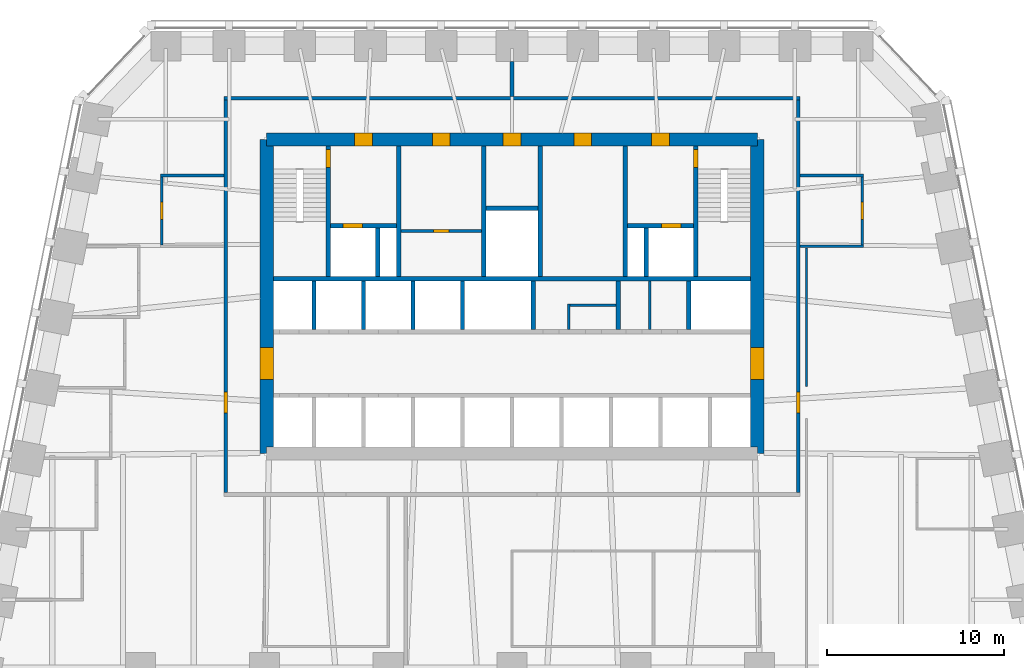
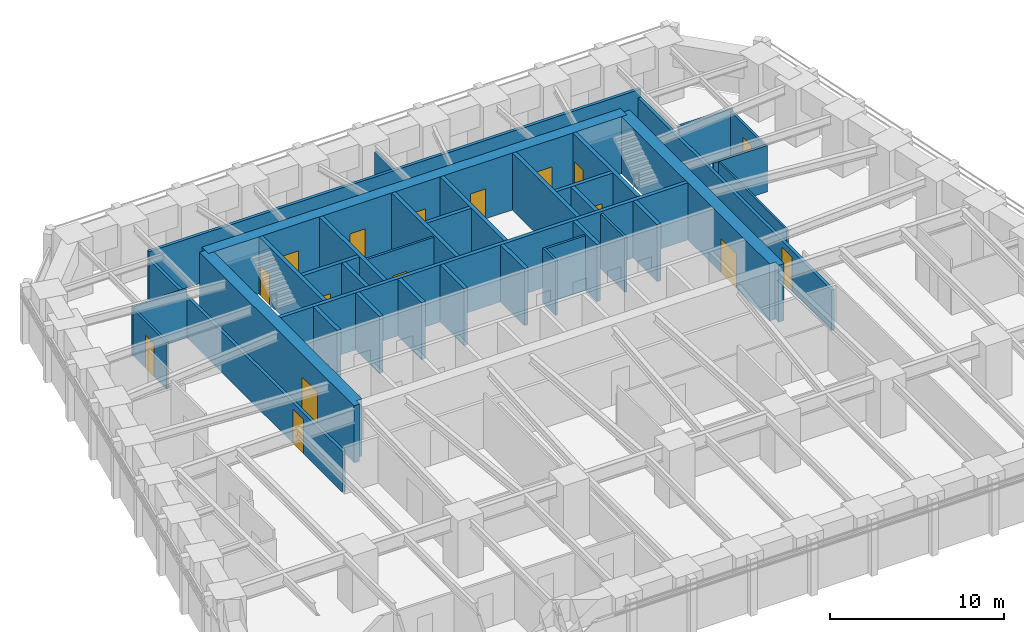
# One storey, part 7 of 10: 36 walls, 16 doors, 16 openings.
"""IFC4 building model written with IfcOpenShell, lengths in metres."""

from ifc_helpers import new_model, si_unit, direction, frame, frame_2d, origin, place, context, subcontext, project, spatial, polyline, rectangle, outline, extrude, material, layer, layer_set, type_object, element, fill, save


model = new_model("IFC4")

# Units and contexts
model_context = context("Model", 3, precision=1e-05, world=origin(), true_north=direction((0.0, 1.0)))
body_context = subcontext(model_context, "Body", "Model", "MODEL_VIEW")
ifc_project = project(units=[si_unit("LENGTHUNIT", "METRE"), si_unit("AREAUNIT", "SQUARE_METRE"), si_unit("VOLUMEUNIT", "CUBIC_METRE"), si_unit("PLANEANGLEUNIT", "RADIAN"), si_unit("MASSUNIT", "GRAM", prefix="KILO")], contexts=[model_context])

# Site, building, storey
site_placement = place(None, origin())
site = spatial("IfcSite", under=ifc_project, at=site_placement, CompositionType="ELEMENT")
building_placement = place(site_placement, origin())
building = spatial("IfcBuilding", under=site, at=building_placement, Name="Isbrekke Arena Tower", CompositionType="ELEMENT")
storey_placement = place(building_placement, frame((0.0, 0.0, 111.0)))
storey = spatial("IfcBuildingStorey", under=building, at=storey_placement, Name="L24", CompositionType="ELEMENT", Elevation=111.0)

# Wall, opening, door
ifc_material_1 = material(Name="Concrete B55 (C55/67)", Category="concrete")
ifc_layer_1 = layer(ifc_material_1, 0.75)
ifc_layer_set_1 = layer_set([ifc_layer_1], Name="CW3 CORE WALL 750")
wall_type_1 = type_object("IfcWallType", Name="CW3 CORE WALL 750", PredefinedType="SHEAR", material=ifc_layer_set_1)
wall_1_placement = place(storey_placement, frame((13.875, 6.125, 0.0), z_axis=(0.0, 0.0, 1.0), x_axis=(0.0, 1.0, 0.0)))
wall_1 = element("IfcWall", 1, at=wall_1_placement, inside=storey, type_object=wall_type_1, Name="Core wall E L24", PredefinedType="SHEAR", context=body_context, shape_type="SweptSolid", body=[
    extrude(outline(polyline([(0.0, -0.375), (17.75, -0.375), (17.75, 0.0), (17.375, 0.0), (17.375, 0.375), (0.375, 0.375), (0.375, 0.0), (0.0, 0.0), (0.0, -0.375)])), origin(), (0.0, 0.0, 1.0), 4.0),
])
opening_1_placement = place(wall_1_placement, frame((4.175048828125, 0.0, 0.0)))
opening_1 = element("IfcOpeningElement", 2, at=opening_1_placement, cuts=wall_1, Name="Opening D1", PredefinedType="OPENING", context=body_context, shape_type="SweptSolid", body=[
    extrude(rectangle(XDim=1.800048828125, YDim=2.39990234375, at=frame_2d((0.89990234375, 1.199951171875))), frame((0.0, 0.389892578125, 0.0), z_axis=(0.0, -1.0, 0.0), x_axis=(1.0, 0.0, 0.0)), (0.0, 0.0, 1.0), 0.77978515625),
])
ifc_material_2 = material(Name="Steel-framed glazed fire door", Category="steel")
door_type_1 = type_object("IfcDoorType", Name="D1 CORE LOBBY DOOR 1800 x 2400", OperationType="DOUBLE_DOOR_SINGLE_SWING", PredefinedType="DOOR", material=ifc_material_2)
door_1_placement = place(opening_1_placement, origin())
door_1 = element("IfcDoor", 3, at=door_1_placement, inside=storey, type_object=door_type_1, Name="D1 lift lobby door east L24", OperationType="DOUBLE_DOOR_SINGLE_SWING", OverallHeight=2.39990234375, OverallWidth=1.800048828125, PredefinedType="DOOR", context=body_context, shape_type="SweptSolid", body=[
    extrude(rectangle(XDim=1.800048828125, YDim=2.39990234375, at=frame_2d((0.89990234375, 1.199951171875))), frame((0.0, 0.374755859375, 0.0), z_axis=(0.0, -1.0, 0.0), x_axis=(1.0, 0.0, 0.0)), (0.0, 0.0, 1.0), 0.74951171875),
])
fill(opening_1, door_1)

# Wall, openings, doors
wall_2_placement = place(storey_placement, frame((13.875, 23.875, 0.0), z_axis=(0.0, 0.0, 1.0), x_axis=(-1.0, 0.0, 0.0)))
wall_2 = element("IfcWall", 4, at=wall_2_placement, inside=storey, type_object=wall_type_1, Name="Core wall N L24", PredefinedType="SHEAR", context=body_context, shape_type="SweptSolid", body=[
    extrude(rectangle(XDim=27.75, YDim=0.75, at=frame_2d((13.875, 0.0))), origin(), (0.0, 0.0, 1.0), 4.0),
])
opening_2_placement = place(wall_2_placement, frame((21.77490234375, 0.0, 0.0)))
opening_2 = element("IfcOpeningElement", 5, at=opening_2_placement, cuts=wall_2, Name="Opening D3", PredefinedType="OPENING", context=body_context, shape_type="SweptSolid", body=[
    extrude(rectangle(XDim=1.0, YDim=2.10009765625, at=frame_2d((0.5, 1.050048828125))), frame((0.0, 0.389892578125, 0.0), z_axis=(0.0, -1.0, 0.0), x_axis=(1.0, 0.0, 0.0)), (0.0, 0.0, 1.0), 0.77978515625),
])
opening_3_placement = place(wall_2_placement, frame((4.97509765625, 0.0, 0.0)))
opening_3 = element("IfcOpeningElement", 6, at=opening_3_placement, cuts=wall_2, Name="Opening D3", PredefinedType="OPENING", context=body_context, shape_type="SweptSolid", body=[
    extrude(rectangle(XDim=1.0, YDim=2.10009765625, at=frame_2d((0.5, 1.050048828125))), frame((0.0, 0.389892578125, 0.0), z_axis=(0.0, -1.0, 0.0), x_axis=(1.0, 0.0, 0.0)), (0.0, 0.0, 1.0), 0.77978515625),
])
opening_4_placement = place(wall_2_placement, frame((17.375, 0.0, 0.0)))
opening_4 = element("IfcOpeningElement", 7, at=opening_4_placement, cuts=wall_2, Name="Opening D4", PredefinedType="OPENING", context=body_context, shape_type="SweptSolid", body=[
    extrude(rectangle(XDim=1.0, YDim=2.10009765625, at=frame_2d((0.5, 1.050048828125))), frame((0.0, 0.389892578125, 0.0), z_axis=(0.0, -1.0, 0.0), x_axis=(1.0, 0.0, 0.0)), (0.0, 0.0, 1.0), 0.77978515625),
])
opening_5_placement = place(wall_2_placement, frame((13.375, 0.0, 0.0)))
opening_5 = element("IfcOpeningElement", 8, at=opening_5_placement, cuts=wall_2, Name="Opening D4", PredefinedType="OPENING", context=body_context, shape_type="SweptSolid", body=[
    extrude(rectangle(XDim=1.0, YDim=2.10009765625, at=frame_2d((0.5, 1.050048828125))), frame((0.0, 0.389892578125, 0.0), z_axis=(0.0, -1.0, 0.0), x_axis=(1.0, 0.0, 0.0)), (0.0, 0.0, 1.0), 0.77978515625),
])
opening_6_placement = place(wall_2_placement, frame((9.375, 0.0, 0.0)))
opening_6 = element("IfcOpeningElement", 9, at=opening_6_placement, cuts=wall_2, Name="Opening D4", PredefinedType="OPENING", context=body_context, shape_type="SweptSolid", body=[
    extrude(rectangle(XDim=1.0, YDim=2.10009765625, at=frame_2d((0.5, 1.050048828125))), frame((0.0, 0.389892578125, 0.0), z_axis=(0.0, -1.0, 0.0), x_axis=(1.0, 0.0, 0.0)), (0.0, 0.0, 1.0), 0.77978515625),
])
ifc_material_3 = material(Name="Steel fire door", Category="steel")
door_type_2 = type_object("IfcDoorType", Name="D3 FIRE LOBBY DOOR 1000 x 2100", OperationType="SINGLE_SWING_RIGHT", PredefinedType="DOOR", material=ifc_material_3)
door_2_placement = place(opening_2_placement, origin())
door_2 = element("IfcDoor", 10, at=door_2_placement, inside=storey, type_object=door_type_2, Name="D3 fire-fighting lobby door L24", OperationType="SINGLE_SWING_RIGHT", OverallHeight=2.10009765625, OverallWidth=1.0, PredefinedType="DOOR", context=body_context, shape_type="SweptSolid", body=[
    extrude(rectangle(XDim=1.0, YDim=2.10009765625, at=frame_2d((0.5, 1.050048828125))), frame((0.0, 0.374755859375, 0.0), z_axis=(0.0, -1.0, 0.0), x_axis=(1.0, 0.0, 0.0)), (0.0, 0.0, 1.0), 0.74951171875),
])
fill(opening_2, door_2)
door_3_placement = place(opening_3_placement, origin())
door_3 = element("IfcDoor", 11, at=door_3_placement, inside=storey, type_object=door_type_2, Name="D3 fire-fighting lobby door L24", OperationType="SINGLE_SWING_RIGHT", OverallHeight=2.10009765625, OverallWidth=1.0, PredefinedType="DOOR", context=body_context, shape_type="SweptSolid", body=[
    extrude(rectangle(XDim=1.0, YDim=2.10009765625, at=frame_2d((0.5, 1.050048828125))), frame((0.0, 0.374755859375, 0.0), z_axis=(0.0, -1.0, 0.0), x_axis=(1.0, 0.0, 0.0)), (0.0, 0.0, 1.0), 0.74951171875),
])
fill(opening_3, door_3)
ifc_material_4 = material(Name="Timber door", Category="wood")
door_type_3 = type_object("IfcDoorType", Name="D4 WC DOOR 1000 x 2100", OperationType="SINGLE_SWING_LEFT", PredefinedType="DOOR", material=ifc_material_4)
door_4_placement = place(opening_4_placement, origin())
door_4 = element("IfcDoor", 12, at=door_4_placement, inside=storey, type_object=door_type_3, Name="D4 wc female door L24", OperationType="SINGLE_SWING_LEFT", OverallHeight=2.10009765625, OverallWidth=1.0, PredefinedType="DOOR", context=body_context, shape_type="SweptSolid", body=[
    extrude(rectangle(XDim=1.0, YDim=2.10009765625, at=frame_2d((0.5, 1.050048828125))), frame((0.0, 0.374755859375, 0.0), z_axis=(0.0, -1.0, 0.0), x_axis=(1.0, 0.0, 0.0)), (0.0, 0.0, 1.0), 0.74951171875),
])
fill(opening_4, door_4)
door_5_placement = place(opening_5_placement, origin())
door_5 = element("IfcDoor", 13, at=door_5_placement, inside=storey, type_object=door_type_3, Name="D4 accessible wc door L24", OperationType="SINGLE_SWING_LEFT", OverallHeight=2.10009765625, OverallWidth=1.0, PredefinedType="DOOR", context=body_context, shape_type="SweptSolid", body=[
    extrude(rectangle(XDim=1.0, YDim=2.10009765625, at=frame_2d((0.5, 1.050048828125))), frame((0.0, 0.374755859375, 0.0), z_axis=(0.0, -1.0, 0.0), x_axis=(1.0, 0.0, 0.0)), (0.0, 0.0, 1.0), 0.74951171875),
])
fill(opening_5, door_5)
door_6_placement = place(opening_6_placement, origin())
door_6 = element("IfcDoor", 14, at=door_6_placement, inside=storey, type_object=door_type_3, Name="D4 wc male door L24", OperationType="SINGLE_SWING_LEFT", OverallHeight=2.10009765625, OverallWidth=1.0, PredefinedType="DOOR", context=body_context, shape_type="SweptSolid", body=[
    extrude(rectangle(XDim=1.0, YDim=2.10009765625, at=frame_2d((0.5, 1.050048828125))), frame((0.0, 0.374755859375, 0.0), z_axis=(0.0, -1.0, 0.0), x_axis=(1.0, 0.0, 0.0)), (0.0, 0.0, 1.0), 0.74951171875),
])
fill(opening_6, door_6)

# Wall, opening, door
wall_3_placement = place(storey_placement, frame((-13.875, 23.875, 0.0), z_axis=(0.0, 0.0, 1.0), x_axis=(0.0, -1.0, 0.0)))
wall_3 = element("IfcWall", 15, at=wall_3_placement, inside=storey, type_object=wall_type_1, Name="Core wall W L24", PredefinedType="SHEAR", context=body_context, shape_type="SweptSolid", body=[
    extrude(outline(polyline([(0.0, -0.375), (17.75, -0.375), (17.75, 0.0), (17.375, 0.0), (17.375, 0.375), (0.375, 0.375), (0.375, 0.0), (0.0, 0.0), (0.0, -0.375)])), origin(), (0.0, 0.0, 1.0), 4.0),
])
opening_7_placement = place(wall_3_placement, frame((11.77490234375, 0.0, 0.0)))
opening_7 = element("IfcOpeningElement", 16, at=opening_7_placement, cuts=wall_3, Name="Opening D1", PredefinedType="OPENING", context=body_context, shape_type="SweptSolid", body=[
    extrude(rectangle(XDim=1.800048828125, YDim=2.39990234375, at=frame_2d((0.89990234375, 1.199951171875))), frame((0.0, 0.389892578125, 0.0), z_axis=(0.0, -1.0, 0.0), x_axis=(1.0, 0.0, 0.0)), (0.0, 0.0, 1.0), 0.77978515625),
])
door_7_placement = place(opening_7_placement, origin())
door_7 = element("IfcDoor", 17, at=door_7_placement, inside=storey, type_object=door_type_1, Name="D1 lift lobby door west L24", OperationType="DOUBLE_DOOR_SINGLE_SWING", OverallHeight=2.39990234375, OverallWidth=1.800048828125, PredefinedType="DOOR", context=body_context, shape_type="SweptSolid", body=[
    extrude(rectangle(XDim=1.800048828125, YDim=2.39990234375, at=frame_2d((0.89990234375, 1.199951171875))), frame((0.0, 0.374755859375, 0.0), z_axis=(0.0, -1.0, 0.0), x_axis=(1.0, 0.0, 0.0)), (0.0, 0.0, 1.0), 0.74951171875),
])
fill(opening_7, door_7)

# Walls
ifc_material_5 = material(Name="Concrete B45 (C45/55)", Category="concrete")
ifc_layer_2 = layer(ifc_material_5, 0.25)
ifc_layer_set_2 = layer_set([ifc_layer_2], Name="CW6 SHAFT WALL 250")
wall_type_2 = type_object("IfcWallType", Name="CW6 SHAFT WALL 250", PredefinedType="SHEAR", material=ifc_layer_set_2)
wall_4_placement = place(storey_placement, frame((-13.5, 16.0, 0.0), z_axis=(0.0, 0.0, 1.0), x_axis=(1.0, 0.0, 0.0)))
element("IfcWall", 18, at=wall_4_placement, inside=storey, type_object=wall_type_2, Name="Core wall NB L24", PredefinedType="SHEAR", context=body_context, shape_type="SweptSolid", body=[
    extrude(rectangle(XDim=27.0, YDim=0.25, at=frame_2d((13.5, 0.0))), origin(), (0.0, 0.0, 1.0), 4.0),
])
for number, where, z_axis, x_axis, name in (
    (19, (-11.199951171875, 13.125, 0.0), (0.0, 0.0, 1.0), (0.0, 1.0, 0.0), "Core wall SN01 L24"),
    (20, (-8.39990234375, 13.125, 0.0), (0.0, 0.0, 1.0), (0.0, 1.0, 0.0), "Core wall SN02 L24"),
    (21, (-5.60009765625, 13.125, 0.0), (0.0, 0.0, 1.0), (0.0, 1.0, 0.0), "Core wall SN03 L24"),
    (22, (-2.800048828125, 13.125, 0.0), (0.0, 0.0, 1.0), (0.0, 1.0, 0.0), "Core wall SN04 L24"),
    (23, (1.199951171875, 13.125, 0.0), (0.0, 0.0, 1.0), (0.0, 1.0, 0.0), "Core wall SN05 L24"),
    (24, (6.0, 13.125, 0.0), (0.0, 0.0, 1.0), (0.0, 1.0, 0.0), "Core wall SN06 L24"),
    (25, (10.0, 13.125, 0.0), (0.0, 0.0, 1.0), (0.0, 1.0, 0.0), "Core wall SN07 L24"),
):
    element("IfcWall", number, at=place(storey_placement, frame(where, z_axis=z_axis, x_axis=x_axis)), inside=storey, type_object=wall_type_2, Name=name, PredefinedType="SHEAR", context=body_context, shape_type="SweptSolid", body=[
        extrude(rectangle(XDim=2.75, YDim=0.25, at=frame_2d((1.375, 0.0))), origin(), (0.0, 0.0, 1.0), 4.0),
    ])

# Wall, opening, door
wall_5_placement = place(storey_placement, frame((-10.39990234375, 16.125, 0.0), z_axis=(0.0, 0.0, 1.0), x_axis=(0.0, 1.0, 0.0)))
wall_5 = element("IfcWall", 26, at=wall_5_placement, inside=storey, type_object=wall_type_2, Name="Core wall NV01 L24", PredefinedType="SHEAR", context=body_context, shape_type="SweptSolid", body=[
    extrude(rectangle(XDim=7.375, YDim=0.25, at=frame_2d((3.6875, 0.0))), origin(), (0.0, 0.0, 1.0), 4.0),
])
opening_8_placement = place(wall_5_placement, frame((6.175048828125, 0.0, 0.0)))
opening_8 = element("IfcOpeningElement", 27, at=opening_8_placement, cuts=wall_5, Name="Opening D2", PredefinedType="OPENING", context=body_context, shape_type="SweptSolid", body=[
    extrude(rectangle(XDim=1.0, YDim=2.10009765625, at=frame_2d((0.5, 1.050048828125))), frame((0.0, 0.139892578125, 0.0), z_axis=(0.0, -1.0, 0.0), x_axis=(1.0, 0.0, 0.0)), (0.0, 0.0, 1.0), 0.27978515625),
])
ifc_material_6 = material(Name="Steel fire door", Category="steel")
door_type_4 = type_object("IfcDoorType", Name="D2 STAIR DOOR 1000 x 2100", OperationType="SINGLE_SWING_LEFT", PredefinedType="DOOR", material=ifc_material_6)
door_8_placement = place(opening_8_placement, origin())
door_8 = element("IfcDoor", 28, at=door_8_placement, inside=storey, type_object=door_type_4, Name="D2 stair door ST1 L24", OperationType="SINGLE_SWING_LEFT", OverallHeight=2.10009765625, OverallWidth=1.0, PredefinedType="DOOR", context=body_context, shape_type="SweptSolid", body=[
    extrude(rectangle(XDim=1.0, YDim=2.10009765625, at=frame_2d((0.5, 1.050048828125))), frame((0.0, 0.124755859375, 0.0), z_axis=(0.0, -1.0, 0.0), x_axis=(1.0, 0.0, 0.0)), (0.0, 0.0, 1.0), 0.24951171875),
])
fill(opening_8, door_8)

# Walls
for number, where, z_axis, x_axis, name in (
    (29, (-6.39990234375, 16.125, 0.0), (0.0, 0.0, 1.0), (0.0, 1.0, 0.0), "Core wall NV02 L24"),
    (30, (-1.60009765625, 16.125, 0.0), (0.0, 0.0, 1.0), (0.0, 1.0, 0.0), "Core wall NV03 L24"),
    (31, (1.60009765625, 16.125, 0.0), (0.0, 0.0, 1.0), (0.0, 1.0, 0.0), "Core wall NV04 L24"),
    (32, (6.39990234375, 16.125, 0.0), (0.0, 0.0, 1.0), (0.0, 1.0, 0.0), "Core wall NV05 L24"),
):
    element("IfcWall", number, at=place(storey_placement, frame(where, z_axis=z_axis, x_axis=x_axis)), inside=storey, type_object=wall_type_2, Name=name, PredefinedType="SHEAR", context=body_context, shape_type="SweptSolid", body=[
        extrude(rectangle(XDim=7.375, YDim=0.25, at=frame_2d((3.6875, 0.0))), origin(), (0.0, 0.0, 1.0), 4.0),
    ])

# Wall, opening, door
wall_6_placement = place(storey_placement, frame((10.39990234375, 16.125, 0.0), z_axis=(0.0, 0.0, 1.0), x_axis=(0.0, 1.0, 0.0)))
wall_6 = element("IfcWall", 33, at=wall_6_placement, inside=storey, type_object=wall_type_2, Name="Core wall NV06 L24", PredefinedType="SHEAR", context=body_context, shape_type="SweptSolid", body=[
    extrude(rectangle(XDim=7.375, YDim=0.25, at=frame_2d((3.6875, 0.0))), origin(), (0.0, 0.0, 1.0), 4.0),
])
opening_9_placement = place(wall_6_placement, frame((6.175048828125, 0.0, 0.0)))
opening_9 = element("IfcOpeningElement", 34, at=opening_9_placement, cuts=wall_6, Name="Opening D2", PredefinedType="OPENING", context=body_context, shape_type="SweptSolid", body=[
    extrude(rectangle(XDim=1.0, YDim=2.10009765625, at=frame_2d((0.5, 1.050048828125))), frame((0.0, 0.139892578125, 0.0), z_axis=(0.0, -1.0, 0.0), x_axis=(1.0, 0.0, 0.0)), (0.0, 0.0, 1.0), 0.27978515625),
])
door_9_placement = place(opening_9_placement, origin())
door_9 = element("IfcDoor", 35, at=door_9_placement, inside=storey, type_object=door_type_4, Name="D2 stair door ST2 L24", OperationType="SINGLE_SWING_LEFT", OverallHeight=2.10009765625, OverallWidth=1.0, PredefinedType="DOOR", context=body_context, shape_type="SweptSolid", body=[
    extrude(rectangle(XDim=1.0, YDim=2.10009765625, at=frame_2d((0.5, 1.050048828125))), frame((0.0, 0.124755859375, 0.0), z_axis=(0.0, -1.0, 0.0), x_axis=(1.0, 0.0, 0.0)), (0.0, 0.0, 1.0), 0.24951171875),
])
fill(opening_9, door_9)

wall_7_placement = place(storey_placement, frame((-10.27490234375, 19.0, 0.0), z_axis=(0.0, 0.0, 1.0), x_axis=(1.0, 0.0, 0.0)))
wall_7 = element("IfcWall", 36, at=wall_7_placement, inside=storey, type_object=wall_type_2, Name="Core wall NFW L24", PredefinedType="SHEAR", context=body_context, shape_type="SweptSolid", body=[
    extrude(rectangle(XDim=3.75, YDim=0.25, at=frame_2d((1.875, 0.0))), origin(), (0.0, 0.0, 1.0), 4.0),
])
opening_10_placement = place(wall_7_placement, frame((0.72509765625, 0.0, 0.0)))
opening_10 = element("IfcOpeningElement", 37, at=opening_10_placement, cuts=wall_7, Name="Opening LD2", PredefinedType="OPENING", context=body_context, shape_type="SweptSolid", body=[
    extrude(rectangle(XDim=1.10009765625, YDim=2.10009765625, at=frame_2d((0.550048828125, 1.050048828125))), frame((0.0, 0.139892578125, 0.0), z_axis=(0.0, -1.0, 0.0), x_axis=(1.0, 0.0, 0.0)), (0.0, 0.0, 1.0), 0.27978515625),
])
ifc_material_7 = material(Name="Stainless steel lift landing door", Category="steel")
door_type_5 = type_object("IfcDoorType", Name="LD2 FIRE-FIGHTING LIFT LANDING DOOR 1100 x 2100", OperationType="SLIDING_TO_RIGHT", PredefinedType="DOOR", material=ifc_material_7)
door_10_placement = place(opening_10_placement, origin())
door_10 = element("IfcDoor", 38, at=door_10_placement, inside=storey, type_object=door_type_5, Name="LD2 lift landing door LF L24", OperationType="SLIDING_TO_RIGHT", OverallHeight=2.10009765625, OverallWidth=1.10009765625, PredefinedType="DOOR", context=body_context, shape_type="SweptSolid", body=[
    extrude(rectangle(XDim=1.10009765625, YDim=2.10009765625, at=frame_2d((0.550048828125, 1.050048828125))), frame((0.0, 0.124755859375, 0.0), z_axis=(0.0, -1.0, 0.0), x_axis=(1.0, 0.0, 0.0)), (0.0, 0.0, 1.0), 0.24951171875),
])
fill(opening_10, door_10)

wall_8_placement = place(storey_placement, frame((6.52490234375, 19.0, 0.0), z_axis=(0.0, 0.0, 1.0), x_axis=(1.0, 0.0, 0.0)))
wall_8 = element("IfcWall", 39, at=wall_8_placement, inside=storey, type_object=wall_type_2, Name="Core wall NFE L24", PredefinedType="SHEAR", context=body_context, shape_type="SweptSolid", body=[
    extrude(rectangle(XDim=3.75, YDim=0.25, at=frame_2d((1.875, 0.0))), origin(), (0.0, 0.0, 1.0), 4.0),
])
opening_11_placement = place(wall_8_placement, frame((1.925048828125, 0.0, 0.0)))
opening_11 = element("IfcOpeningElement", 40, at=opening_11_placement, cuts=wall_8, Name="Opening LD2", PredefinedType="OPENING", context=body_context, shape_type="SweptSolid", body=[
    extrude(rectangle(XDim=1.10009765625, YDim=2.10009765625, at=frame_2d((0.550048828125, 1.050048828125))), frame((0.0, 0.139892578125, 0.0), z_axis=(0.0, -1.0, 0.0), x_axis=(1.0, 0.0, 0.0)), (0.0, 0.0, 1.0), 0.27978515625),
])
door_11_placement = place(opening_11_placement, origin())
door_11 = element("IfcDoor", 41, at=door_11_placement, inside=storey, type_object=door_type_5, Name="LD2 lift landing door LF L24", OperationType="SLIDING_TO_RIGHT", OverallHeight=2.10009765625, OverallWidth=1.10009765625, PredefinedType="DOOR", context=body_context, shape_type="SweptSolid", body=[
    extrude(rectangle(XDim=1.10009765625, YDim=2.10009765625, at=frame_2d((0.550048828125, 1.050048828125))), frame((0.0, 0.124755859375, 0.0), z_axis=(0.0, -1.0, 0.0), x_axis=(1.0, 0.0, 0.0)), (0.0, 0.0, 1.0), 0.24951171875),
])
fill(opening_11, door_11)

# Walls
for number, where, z_axis, x_axis, name in (
    (42, (-7.60009765625, 16.125, 0.0), (0.0, 0.0, 1.0), (0.0, 1.0, 0.0), "Core wall NFS1 L24"),
    (43, (7.60009765625, 16.125, 0.0), (0.0, 0.0, 1.0), (0.0, 1.0, 0.0), "Core wall NFS2 L24"),
):
    element("IfcWall", number, at=place(storey_placement, frame(where, z_axis=z_axis, x_axis=x_axis)), inside=storey, type_object=wall_type_2, Name=name, PredefinedType="SHEAR", context=body_context, shape_type="SweptSolid", body=[
        extrude(rectangle(XDim=2.75, YDim=0.25, at=frame_2d((1.375, 0.0))), origin(), (0.0, 0.0, 1.0), 4.0),
    ])
wall_9_placement = place(storey_placement, frame((-1.47509765625, 20.0, 0.0), z_axis=(0.0, 0.0, 1.0), x_axis=(1.0, 0.0, 0.0)))
element("IfcWall", 44, at=wall_9_placement, inside=storey, type_object=wall_type_2, Name="Core wall NWC L24", PredefinedType="SHEAR", context=body_context, shape_type="SweptSolid", body=[
    extrude(rectangle(XDim=2.9501953125, YDim=0.25, at=frame_2d((1.47509765625, 0.0))), origin(), (0.0, 0.0, 1.0), 4.0),
])
ifc_material_8 = material(Name="Gypsum board partition on steel studs", Category="steel")
ifc_layer_3 = layer(ifc_material_8, 0.14990234375)
ifc_layer_set_3 = layer_set([ifc_layer_3], Name="IW1 PARTITION 150")
wall_type_3 = type_object("IfcWallType", Name="IW1 PARTITION 150", PredefinedType="PARTITIONING", material=ifc_layer_set_3)
wall_10_placement = place(storey_placement, frame((16.300048828125, 17.840087890625, 0.0), z_axis=(0.0, 0.0, 1.0), x_axis=(1.0, 0.0, 0.0)))
element("IfcWall", 45, at=wall_10_placement, inside=storey, type_object=wall_type_3, Name="IW1 partition 150 L24", PredefinedType="PARTITIONING", context=body_context, shape_type="SweptSolid", body=[
    extrude(rectangle(XDim=3.574951171875, YDim=0.14990234375, at=frame_2d((1.78759765625, 0.0))), origin(), (0.0, 0.0, 1.0), 3.25),
])
for number, where, z_axis, x_axis, name in (
    (46, (-19.875, 21.840087890625, 0.0), (0.0, 0.0, 1.0), (1.0, 0.0, 0.0), "IW1 partition 150 L24"),
    (47, (16.300048828125, 21.840087890625, 0.0), (0.0, 0.0, 1.0), (1.0, 0.0, 0.0), "IW1 partition 150 L24"),
):
    element("IfcWall", number, at=place(storey_placement, frame(where, z_axis=z_axis, x_axis=x_axis)), inside=storey, type_object=wall_type_3, Name=name, PredefinedType="PARTITIONING", context=body_context, shape_type="SweptSolid", body=[
        extrude(rectangle(XDim=3.574951171875, YDim=0.14990234375, at=frame_2d((1.78759765625, 0.0))), origin(), (0.0, 0.0, 1.0), 3.39990234375),
    ])

# Wall, opening, door
wall_11_placement = place(storey_placement, frame((-19.800048828125, 17.9150390625, 0.0), z_axis=(0.0, 0.0, 1.0), x_axis=(0.0, 1.0, 0.0)))
wall_11 = element("IfcWall", 48, at=wall_11_placement, inside=storey, type_object=wall_type_3, Name="IW1 partition 150 L24", PredefinedType="PARTITIONING", context=body_context, shape_type="SweptSolid", body=[
    extrude(rectangle(XDim=3.849853515625, YDim=0.14990234375, at=frame_2d((1.9248046875, 0.0))), origin(), (0.0, 0.0, 1.0), 3.25),
])
opening_12_placement = place(wall_11_placement, frame((1.425048828125, 0.0, 0.0)))
opening_12 = element("IfcOpeningElement", 49, at=opening_12_placement, cuts=wall_11, Name="Opening D10", PredefinedType="OPENING", context=body_context, shape_type="SweptSolid", body=[
    extrude(rectangle(XDim=1.0, YDim=2.300048828125, at=frame_2d((0.5, 1.14990234375))), frame((0.0, 0.08984375, 0.0), z_axis=(0.0, -1.0, 0.0), x_axis=(1.0, 0.0, 0.0)), (0.0, 0.0, 1.0), 0.1796875),
])
ifc_material_9 = material(Name="Timber door", Category="wood")
door_type_6 = type_object("IfcDoorType", Name="D10 OFFICE DOOR 1000 x 2300", OperationType="SINGLE_SWING_LEFT", PredefinedType="DOOR", material=ifc_material_9)
door_12_placement = place(opening_12_placement, origin())
door_12 = element("IfcDoor", 50, at=door_12_placement, inside=storey, type_object=door_type_6, Name="D10 pantry door L24", OperationType="SINGLE_SWING_LEFT", OverallHeight=2.300048828125, OverallWidth=1.0, PredefinedType="DOOR", context=body_context, shape_type="SweptSolid", body=[
    extrude(rectangle(XDim=1.0, YDim=2.300048828125, at=frame_2d((0.5, 1.14990234375))), frame((0.0, 0.07470703125, 0.0), z_axis=(0.0, -1.0, 0.0), x_axis=(1.0, 0.0, 0.0)), (0.0, 0.0, 1.0), 0.1494140625),
])
fill(opening_12, door_12)

wall_12_placement = place(storey_placement, frame((19.800048828125, 17.9150390625, 0.0), z_axis=(0.0, 0.0, 1.0), x_axis=(0.0, 1.0, 0.0)))
wall_12 = element("IfcWall", 51, at=wall_12_placement, inside=storey, type_object=wall_type_3, Name="IW1 partition 150 L24", PredefinedType="PARTITIONING", context=body_context, shape_type="SweptSolid", body=[
    extrude(rectangle(XDim=3.849853515625, YDim=0.14990234375, at=frame_2d((1.9248046875, 0.0))), origin(), (0.0, 0.0, 1.0), 3.25),
])
opening_13_placement = place(wall_12_placement, frame((1.425048828125, 0.0, 0.0)))
opening_13 = element("IfcOpeningElement", 52, at=opening_13_placement, cuts=wall_12, Name="Opening D10", PredefinedType="OPENING", context=body_context, shape_type="SweptSolid", body=[
    extrude(rectangle(XDim=1.0, YDim=2.300048828125, at=frame_2d((0.5, 1.14990234375))), frame((0.0, 0.08984375, 0.0), z_axis=(0.0, -1.0, 0.0), x_axis=(1.0, 0.0, 0.0)), (0.0, 0.0, 1.0), 0.1796875),
])
door_13_placement = place(opening_13_placement, origin())
door_13 = element("IfcDoor", 53, at=door_13_placement, inside=storey, type_object=door_type_6, Name="D10 pantry door L24", OperationType="SINGLE_SWING_LEFT", OverallHeight=2.300048828125, OverallWidth=1.0, PredefinedType="DOOR", context=body_context, shape_type="SweptSolid", body=[
    extrude(rectangle(XDim=1.0, YDim=2.300048828125, at=frame_2d((0.5, 1.14990234375))), frame((0.0, 0.07470703125, 0.0), z_axis=(0.0, -1.0, 0.0), x_axis=(1.0, 0.0, 0.0)), (0.0, 0.0, 1.0), 0.1494140625),
])
fill(opening_13, door_13)

# Walls
ifc_material_10 = material(Name="Frameless glazed partition, laminated acoustic glass", Category="glass")
ifc_layer_4 = layer(ifc_material_10, 0.1201171875)
ifc_layer_set_4 = layer_set([ifc_layer_4], Name="IW2 GLAZED PARTITION 120")
wall_type_4 = type_object("IfcWallType", Name="IW2 GLAZED PARTITION 120", PredefinedType="PARTITIONING", material=ifc_layer_set_4)
wall_13_placement = place(storey_placement, frame((16.660888671875, 9.89990234375, 0.0), z_axis=(0.0, 0.0, 1.0), x_axis=(0.0, 1.0, 0.0)))
element("IfcWall", 54, at=wall_13_placement, inside=storey, type_object=wall_type_4, Name="IW2 glazed partition 120 L24", PredefinedType="PARTITIONING", context=body_context, shape_type="SweptSolid", body=[
    extrude(rectangle(XDim=7.84521484375, YDim=0.1201171875, at=frame_2d((3.922607421875, 0.0))), origin(), (0.0, 0.0, 1.0), 3.25),
])
ifc_material_11 = material(Name="Gypsum board fire-cell wall on steel studs, two layers each side", Category="steel")
ifc_layer_5 = layer(ifc_material_11, 0.199951171875)
ifc_layer_set_5 = layer_set([ifc_layer_5], Name="IW3 FIRE-CELL WALL 200")
wall_type_5 = type_object("IfcWallType", Name="IW3 FIRE-CELL WALL 200", PredefinedType="PARTITIONING", material=ifc_layer_set_5)
wall_14_placement = place(storey_placement, frame((-16.300048828125, 26.199951171875, 0.0), z_axis=(0.0, 0.0, 1.0), x_axis=(1.0, 0.0, 0.0)))
element("IfcWall", 55, at=wall_14_placement, inside=storey, type_object=wall_type_5, Name="IW3 fire-cell wall 200 L24", PredefinedType="PARTITIONING", context=body_context, shape_type="SweptSolid", body=[
    extrude(rectangle(XDim=32.60009765625, YDim=0.199951171875, at=frame_2d((16.300048828125, 0.0))), origin(), (0.0, 0.0, 1.0), 3.39990234375),
])

# Wall, opening, door
wall_15_placement = place(storey_placement, frame((-16.199951171875, 3.89990234375, 0.0), z_axis=(0.0, 0.0, 1.0), x_axis=(0.0, 1.0, 0.0)))
wall_15 = element("IfcWall", 56, at=wall_15_placement, inside=storey, type_object=wall_type_5, Name="IW3 fire-cell wall 200 L24", PredefinedType="PARTITIONING", context=body_context, shape_type="SweptSolid", body=[
    extrude(rectangle(XDim=22.2001953125, YDim=0.199951171875, at=frame_2d((11.10009765625, 0.0))), origin(), (0.0, 0.0, 1.0), 2.842041015625),
])
opening_14_placement = place(wall_15_placement, frame((4.5, 0.0, 0.0)))
opening_14 = element("IfcOpeningElement", 57, at=opening_14_placement, cuts=wall_15, Name="Opening D12", PredefinedType="OPENING", context=body_context, shape_type="SweptSolid", body=[
    extrude(rectangle(XDim=1.199951171875, YDim=2.39990234375, at=frame_2d((0.60009765625, 1.199951171875))), frame((0.0, 0.11474609375, 0.0), z_axis=(0.0, -1.0, 0.0), x_axis=(1.0, 0.0, 0.0)), (0.0, 0.0, 1.0), 0.229736328125),
])
ifc_material_12 = material(Name="Timber fire door with vision panel", Category="wood")
door_type_7 = type_object("IfcDoorType", Name="D12 SUITE ENTRANCE DOOR 1200 x 2400", OperationType="SINGLE_SWING_LEFT", PredefinedType="DOOR", material=ifc_material_12)
door_14_placement = place(opening_14_placement, origin())
door_14 = element("IfcDoor", 58, at=door_14_placement, inside=storey, type_object=door_type_7, Name="D12 suite entrance B door L24", OperationType="SINGLE_SWING_LEFT", OverallHeight=2.39990234375, OverallWidth=1.199951171875, PredefinedType="DOOR", context=body_context, shape_type="SweptSolid", body=[
    extrude(rectangle(XDim=1.199951171875, YDim=2.39990234375, at=frame_2d((0.60009765625, 1.199951171875))), frame((0.0, 0.099609375, 0.0), z_axis=(0.0, -1.0, 0.0), x_axis=(1.0, 0.0, 0.0)), (0.0, 0.0, 1.0), 0.199462890625),
])
fill(opening_14, door_14)

# Wall
wall_16_placement = place(storey_placement, frame((0.0, 26.300048828125, 0.0), z_axis=(0.0, 0.0, 1.0), x_axis=(0.0, 1.0, 0.0)))
element("IfcWall", 59, at=wall_16_placement, inside=storey, type_object=wall_type_5, Name="IW3 fire-cell wall 200 L24", PredefinedType="PARTITIONING", context=body_context, shape_type="SweptSolid", body=[
    extrude(rectangle(XDim=1.974853515625, YDim=0.199951171875, at=frame_2d((0.9873046875, 0.0))), origin(), (0.0, 0.0, 1.0), 3.39990234375),
])

# Wall, opening, door
wall_17_placement = place(storey_placement, frame((16.199951171875, 3.89990234375, 0.0), z_axis=(0.0, 0.0, 1.0), x_axis=(0.0, 1.0, 0.0)))
wall_17 = element("IfcWall", 60, at=wall_17_placement, inside=storey, type_object=wall_type_5, Name="IW3 fire-cell wall 200 L24", PredefinedType="PARTITIONING", context=body_context, shape_type="SweptSolid", body=[
    extrude(rectangle(XDim=22.2001953125, YDim=0.199951171875, at=frame_2d((11.10009765625, 0.0))), origin(), (0.0, 0.0, 1.0), 2.842041015625),
])
opening_15_placement = place(wall_17_placement, frame((4.5, 0.0, 0.0)))
opening_15 = element("IfcOpeningElement", 61, at=opening_15_placement, cuts=wall_17, Name="Opening D12", PredefinedType="OPENING", context=body_context, shape_type="SweptSolid", body=[
    extrude(rectangle(XDim=1.199951171875, YDim=2.39990234375, at=frame_2d((0.60009765625, 1.199951171875))), frame((0.0, 0.11474609375, 0.0), z_axis=(0.0, -1.0, 0.0), x_axis=(1.0, 0.0, 0.0)), (0.0, 0.0, 1.0), 0.229736328125),
])
door_15_placement = place(opening_15_placement, origin())
door_15 = element("IfcDoor", 62, at=door_15_placement, inside=storey, type_object=door_type_7, Name="D12 suite entrance A door L24", OperationType="SINGLE_SWING_LEFT", OverallHeight=2.39990234375, OverallWidth=1.199951171875, PredefinedType="DOOR", context=body_context, shape_type="SweptSolid", body=[
    extrude(rectangle(XDim=1.199951171875, YDim=2.39990234375, at=frame_2d((0.60009765625, 1.199951171875))), frame((0.0, 0.099609375, 0.0), z_axis=(0.0, -1.0, 0.0), x_axis=(1.0, 0.0, 0.0)), (0.0, 0.0, 1.0), 0.199462890625),
])
fill(opening_15, door_15)

ifc_material_13 = material(Name="Gypsum board fire-rated partition on steel studs, two layers each side", Category="steel")
ifc_layer_6 = layer(ifc_material_13, 0.14990234375)
ifc_layer_set_6 = layer_set([ifc_layer_6], Name="IW5 FIRE-RATED PARTITION 150")
wall_type_6 = type_object("IfcWallType", Name="IW5 FIRE-RATED PARTITION 150", PredefinedType="PARTITIONING", material=ifc_layer_set_6)
wall_18_placement = place(storey_placement, frame((-6.27490234375, 18.699951171875, 0.0), z_axis=(0.0, 0.0, 1.0), x_axis=(1.0, 0.0, 0.0)))
wall_18 = element("IfcWall", 63, at=wall_18_placement, inside=storey, type_object=wall_type_6, Name="IW5 fire-rated partition L24 cleaner's store F", PredefinedType="PARTITIONING", context=body_context, shape_type="SweptSolid", body=[
    extrude(rectangle(XDim=4.5498046875, YDim=0.14990234375, at=frame_2d((2.27490234375, 0.0))), origin(), (0.0, 0.0, 1.0), 3.85009765625),
])
opening_16_placement = place(wall_18_placement, frame((1.824951171875, 0.0, 0.0)))
opening_16 = element("IfcOpeningElement", 64, at=opening_16_placement, cuts=wall_18, Name="Opening D5", PredefinedType="OPENING", context=body_context, shape_type="SweptSolid", body=[
    extrude(rectangle(XDim=0.89990234375, YDim=2.10009765625, at=frame_2d((0.449951171875, 1.050048828125))), frame((0.0, 0.08984375, 0.0), z_axis=(0.0, -1.0, 0.0), x_axis=(1.0, 0.0, 0.0)), (0.0, 0.0, 1.0), 0.1796875),
])
ifc_material_14 = material(Name="Steel fire door", Category="steel")
door_type_8 = type_object("IfcDoorType", Name="D5 SERVICE DOOR 900 x 2100", OperationType="SINGLE_SWING_LEFT", PredefinedType="DOOR", material=ifc_material_14)
door_16_placement = place(opening_16_placement, origin())
door_16 = element("IfcDoor", 65, at=door_16_placement, inside=storey, type_object=door_type_8, Name="D5 cleaner's store door L24", OperationType="SINGLE_SWING_LEFT", OverallHeight=2.10009765625, OverallWidth=0.89990234375, PredefinedType="DOOR", context=body_context, shape_type="SweptSolid", body=[
    extrude(rectangle(XDim=0.89990234375, YDim=2.10009765625, at=frame_2d((0.449951171875, 1.050048828125))), frame((0.0, 0.07470703125, 0.0), z_axis=(0.0, -1.0, 0.0), x_axis=(1.0, 0.0, 0.0)), (0.0, 0.0, 1.0), 0.1494140625),
])
fill(opening_16, door_16)

# Walls
wall_19_placement = place(storey_placement, frame((3.199951171875, 13.125, 0.0), z_axis=(0.0, 0.0, 1.0), x_axis=(0.0, 1.0, 0.0)))
element("IfcWall", 66, at=wall_19_placement, inside=storey, type_object=wall_type_6, Name="IW5 fire-rated partition L24 core service rooms 1", PredefinedType="PARTITIONING", context=body_context, shape_type="SweptSolid", body=[
    extrude(rectangle(XDim=1.449951171875, YDim=0.14990234375, at=frame_2d((0.72509765625, 0.0))), origin(), (0.0, 0.0, 1.0), 3.85009765625),
])
wall_20_placement = place(storey_placement, frame((3.27490234375, 14.5, 0.0), z_axis=(0.0, 0.0, 1.0), x_axis=(1.0, 0.0, 0.0)))
element("IfcWall", 67, at=wall_20_placement, inside=storey, type_object=wall_type_6, Name="IW5 fire-rated partition L24 core service rooms 2", PredefinedType="PARTITIONING", context=body_context, shape_type="SweptSolid", body=[
    extrude(rectangle(XDim=2.60009765625, YDim=0.14990234375, at=frame_2d((1.300048828125, 0.0))), origin(), (0.0, 0.0, 1.0), 3.85009765625),
])
wall_21_placement = place(storey_placement, frame((7.800048828125, 13.125, 0.0), z_axis=(0.0, 0.0, 1.0), x_axis=(0.0, 1.0, 0.0)))
element("IfcWall", 68, at=wall_21_placement, inside=storey, type_object=wall_type_6, Name="IW5 fire-rated partition L24 core service rooms 3", PredefinedType="PARTITIONING", context=body_context, shape_type="SweptSolid", body=[
    extrude(rectangle(XDim=2.75, YDim=0.14990234375, at=frame_2d((1.375, 0.0))), origin(), (0.0, 0.0, 1.0), 3.85009765625),
])

save(model, "model.ifc")
